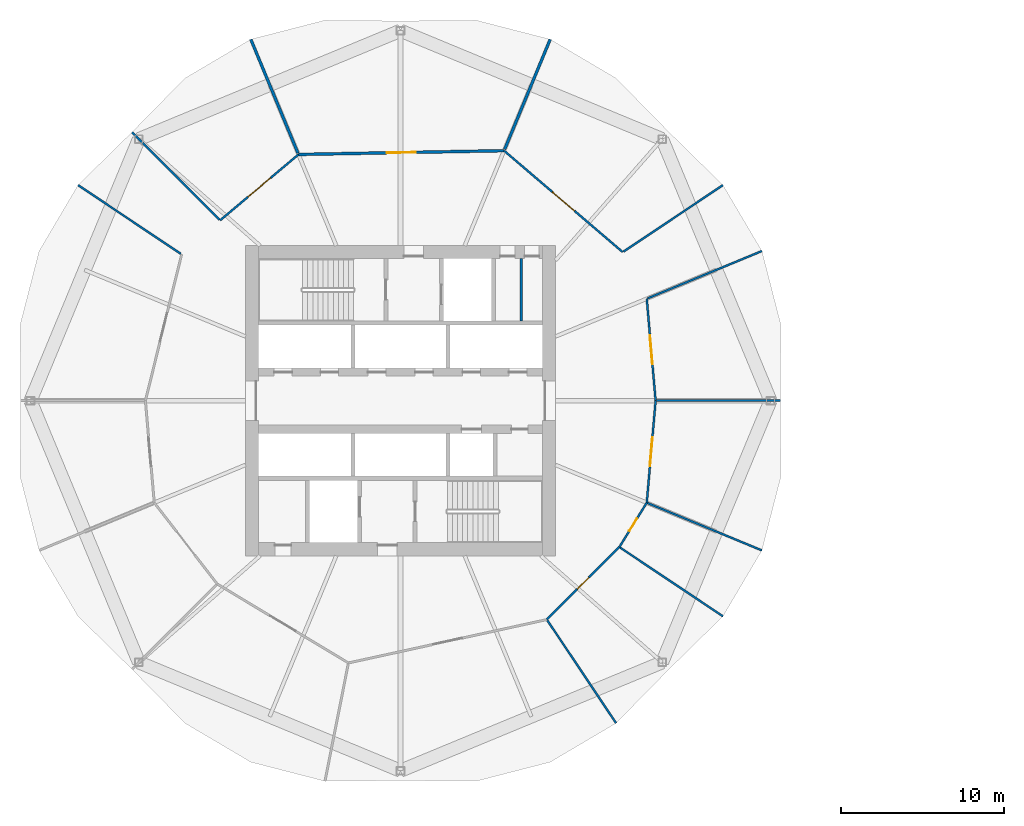
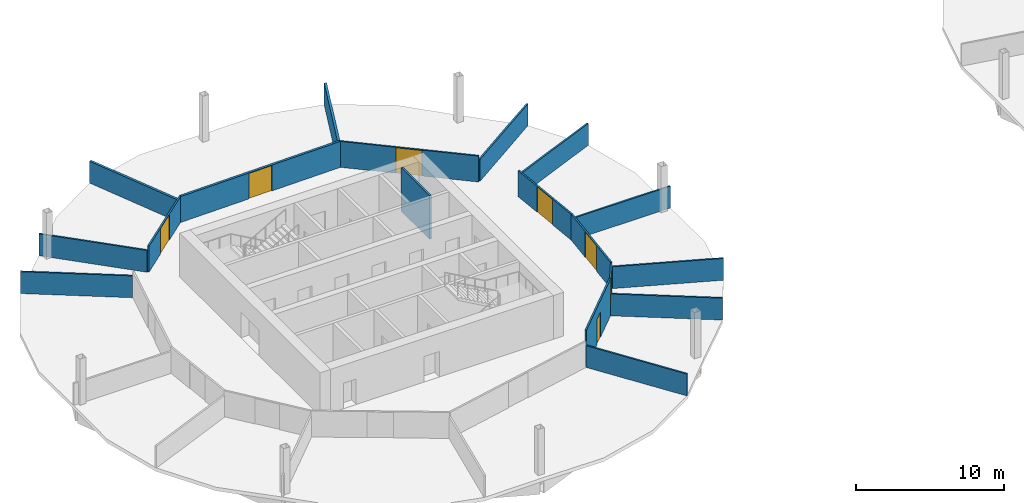
# One storey, part 5 of 9: 18 walls, 7 doors, 7 openings.
"""IFC4 building model written with IfcOpenShell, lengths in metres."""

from ifc_helpers import new_model, si_unit, direction, frame, frame_2d, origin, place, context, subcontext, project, spatial, rectangle, extrude, material, layer, layer_set, type_object, element, fill, save


model = new_model("IFC4")

# Units and contexts
model_context = context("Model", 3, precision=1e-05, world=origin(), true_north=direction((0.0, 1.0)))
body_context = subcontext(model_context, "Body", "Model", "MODEL_VIEW")
ifc_project = project(units=[si_unit("LENGTHUNIT", "METRE"), si_unit("AREAUNIT", "SQUARE_METRE"), si_unit("VOLUMEUNIT", "CUBIC_METRE"), si_unit("PLANEANGLEUNIT", "RADIAN"), si_unit("MASSUNIT", "GRAM", prefix="KILO")], contexts=[model_context])

# Site, building, storey
site_placement = place(None, origin())
site = spatial("IfcSite", under=ifc_project, at=site_placement, CompositionType="ELEMENT")
building_placement = place(site_placement, origin())
building = spatial("IfcBuilding", under=site, at=building_placement, Name="Ogive Gate Towers", CompositionType="ELEMENT")
storey_placement = place(building_placement, frame((0.0, 0.0, 91.800048828125)))
storey = spatial("IfcBuildingStorey", under=building, at=storey_placement, Name="L21", CompositionType="ELEMENT", Elevation=91.800048828125)

# Walls
ifc_material_1 = material(Name="Gypsum board acoustic partition")
ifc_layer_1 = layer(ifc_material_1, 0.175048828125)
ifc_layer_set_1 = layer_set([ifc_layer_1], Name="Acoustic partition 175")
wall_type_1 = type_object("IfcWallType", Name="Acoustic partition 175", PredefinedType="PARTITIONING", material=ifc_layer_set_1)
wall_1_placement = place(storey_placement, frame((-26.8271484375, 22.1455078125, 0.0), z_axis=(0.0, 0.0, 1.0), x_axis=(-0.382651040755, -0.92389294889, 0.0)))
element("IfcWall", 1, at=wall_1_placement, inside=storey, type_object=wall_type_1, Name="Partition T1-L21-004", PredefinedType="PARTITIONING", context=body_context, shape_type="SweptSolid", body=[
    extrude(rectangle(XDim=7.301513671875, YDim=0.175048828125, at=frame_2d((3.65087890625, 0.0))), origin(), (0.0, 0.0, 1.0), 1.800048828125),
])
wall_2_placement = place(storey_placement, frame((-45.1728515625, 22.1455078125, 0.0), z_axis=(0.0, 0.0, 1.0), x_axis=(0.382656362014, -0.923890744953, 0.0)))
element("IfcWall", 2, at=wall_2_placement, inside=storey, type_object=wall_type_1, Name="Partition T1-L21-005", PredefinedType="PARTITIONING", context=body_context, shape_type="SweptSolid", body=[
    extrude(rectangle(XDim=7.551513671875, YDim=0.175048828125, at=frame_2d((3.77587890625, 0.0))), origin(), (0.0, 0.0, 1.0), 1.800048828125),
])

# Wall, opening, door
wall_3_placement = place(storey_placement, frame((-29.65478515625, 15.31884765625, 0.0), z_axis=(0.0, 0.0, 1.0), x_axis=(-0.999831908643, -0.018334515499, 0.0)))
wall_3 = element("IfcWall", 3, at=wall_3_placement, inside=storey, type_object=wall_type_1, Name="Partition T1-L21-016", PredefinedType="PARTITIONING", context=body_context, shape_type="SweptSolid", body=[
    extrude(rectangle(XDim=12.596923828125, YDim=0.175048828125, at=frame_2d((6.29833984375, 0.0))), origin(), (0.0, 0.0, 1.0), 2.139892578125),
])
opening_1_placement = place(wall_3_placement, frame((5.39892578125, 0.0, 0.0)))
opening_1 = element("IfcOpeningElement", 4, at=opening_1_placement, cuts=wall_3, Name="Opening T1-L21-D02", PredefinedType="OPENING", context=body_context, shape_type="SweptSolid", body=[
    extrude(rectangle(XDim=1.800048828125, YDim=2.10009765625, at=frame_2d((0.89990234375, 1.050048828125))), frame((0.0, 0.09765625, 0.0), z_axis=(0.0, -1.0, 0.0), x_axis=(1.0, 0.0, 0.0)), (0.0, 0.0, 1.0), 0.195068359375),
])
ifc_material_2 = material(Name="Timber door", Category="wood")
door_type_1 = type_object("IfcDoorType", Name="Door pair 1800", OperationType="NOTDEFINED", PredefinedType="DOOR", material=ifc_material_2)
door_1_placement = place(opening_1_placement, origin())
door_1 = element("IfcDoor", 5, at=door_1_placement, inside=storey, type_object=door_type_1, Name="Door T1-L21-D02", OperationType="DOUBLE_DOOR_DOUBLE_SWING", OverallHeight=2.10009765625, OverallWidth=1.800048828125, PredefinedType="DOOR", context=body_context, shape_type="SweptSolid", body=[
    extrude(rectangle(XDim=1.800048828125, YDim=2.10009765625, at=frame_2d((0.89990234375, 1.050048828125))), frame((0.0, 0.02490234375, 0.0), z_axis=(0.0, -1.0, 0.0), x_axis=(1.0, 0.0, 0.0)), (0.0, 0.0, 1.0), 0.050048828125),
])
fill(opening_1, door_1)

# Walls
ifc_material_3 = material(Name="Gypsum board partition")
ifc_layer_2 = layer(ifc_material_3, 0.125)
ifc_layer_set_2 = layer_set([ifc_layer_2], Name="Partition 125")
wall_type_2 = type_object("IfcWallType", Name="Partition 125", PredefinedType="PARTITIONING", material=ifc_layer_set_2)
for number, where, z_axis, x_axis, name in (
    (6, (-12.73095703125, 0.0, 0.0), (0.0, 0.0, 1.0), (-1.0, 0.0, 0.0), "Partition T1-L21-001"),
    (7, (-13.8544921875, 9.1728515625, 0.0), (0.0, 0.0, 1.0), (-0.923883306307, -0.382674321488, 0.0), "Partition T1-L21-002"),
):
    element("IfcWall", number, at=place(storey_placement, frame(where, z_axis=z_axis, x_axis=x_axis)), inside=storey, type_object=wall_type_2, Name=name, PredefinedType="PARTITIONING", context=body_context, shape_type="SweptSolid", body=[
        extrude(rectangle(XDim=7.57666015625, YDim=0.125, at=frame_2d((3.788330078125, 0.0))), origin(), (0.0, 0.0, 1.0), 1.800048828125),
    ])
wall_4_placement = place(storey_placement, frame((-16.240478515625, 13.2119140625, 0.0), z_axis=(0.0, 0.0, 1.0), x_axis=(-0.831290762981, -0.555837806723, 0.0)))
element("IfcWall", 8, at=wall_4_placement, inside=storey, type_object=wall_type_2, Name="Partition T1-L21-003", PredefinedType="PARTITIONING", context=body_context, shape_type="SweptSolid", body=[
    extrude(rectangle(XDim=7.326416015625, YDim=0.125, at=frame_2d((3.6630859375, 0.0))), origin(), (0.0, 0.0, 1.0), 1.800048828125),
])
wall_5_placement = place(storey_placement, frame((-52.45361328125, 16.45361328125, 0.0), z_axis=(0.0, 0.0, 1.0), x_axis=(0.707106781187, -0.707106781187, 0.0)))
element("IfcWall", 9, at=wall_5_placement, inside=storey, type_object=wall_type_2, Name="Partition T1-L21-006", PredefinedType="PARTITIONING", context=body_context, shape_type="SweptSolid", body=[
    extrude(rectangle(XDim=7.57666015625, YDim=0.125, at=frame_2d((3.788330078125, 0.0))), origin(), (0.0, 0.0, 1.0), 1.800048828125),
])
for number, where, z_axis, x_axis, name in (
    (10, (-55.759521484375, 13.2119140625, 0.0), (0.0, 0.0, 1.0), (0.831300960788, -0.555822554951, 0.0), "Partition T1-L21-007"),
    (11, (-22.7880859375, -19.759521484375, 0.0), (0.0, 0.0, 1.0), (-0.555822554951, 0.831300960788, 0.0), "Partition T1-L21-012"),
    (12, (-16.240478515625, -13.2119140625, 0.0), (0.0, 0.0, 1.0), (-0.831300960788, 0.555822554951, 0.0), "Partition T1-L21-013"),
):
    element("IfcWall", number, at=place(storey_placement, frame(where, z_axis=z_axis, x_axis=x_axis)), inside=storey, type_object=wall_type_2, Name=name, PredefinedType="PARTITIONING", context=body_context, shape_type="SweptSolid", body=[
        extrude(rectangle(XDim=7.576416015625, YDim=0.125, at=frame_2d((3.7880859375, 0.0))), origin(), (0.0, 0.0, 1.0), 1.800048828125),
    ])
wall_6_placement = place(storey_placement, frame((-13.8544921875, -9.1728515625, 0.0), z_axis=(0.0, 0.0, 1.0), x_axis=(-0.923883306307, 0.382674321488, 0.0)))
element("IfcWall", 13, at=wall_6_placement, inside=storey, type_object=wall_type_2, Name="Partition T1-L21-014", PredefinedType="PARTITIONING", context=body_context, shape_type="SweptSolid", body=[
    extrude(rectangle(XDim=7.57666015625, YDim=0.125, at=frame_2d((3.788330078125, 0.0))), origin(), (0.0, 0.0, 1.0), 1.800048828125),
])

# Wall, opening, door
wall_7_placement = place(storey_placement, frame((-22.3828125, 9.10498046875, 0.0), z_axis=(0.0, 0.0, 1.0), x_axis=(-0.760250240989, 0.649630334172, 0.0)))
wall_7 = element("IfcWall", 14, at=wall_7_placement, inside=storey, type_object=wall_type_2, Name="Partition T1-L21-015", PredefinedType="PARTITIONING", context=body_context, shape_type="SweptSolid", body=[
    extrude(rectangle(XDim=9.565185546875, YDim=0.125, at=frame_2d((4.78271484375, 0.0))), origin(), (0.0, 0.0, 1.0), 2.139892578125),
])
opening_2_placement = place(wall_7_placement, frame((3.883056640625, 0.0, 0.0)))
opening_2 = element("IfcOpeningElement", 15, at=opening_2_placement, cuts=wall_7, Name="Opening T1-L21-D01", PredefinedType="OPENING", context=body_context, shape_type="SweptSolid", body=[
    extrude(rectangle(XDim=1.800048828125, YDim=2.10009765625, at=frame_2d((0.89990234375, 1.050048828125))), frame((0.0, 0.072509765625, 0.0), z_axis=(0.0, -1.0, 0.0), x_axis=(1.0, 0.0, 0.0)), (0.0, 0.0, 1.0), 0.14501953125),
])
door_2_placement = place(opening_2_placement, origin())
door_2 = element("IfcDoor", 16, at=door_2_placement, inside=storey, type_object=door_type_1, Name="Door T1-L21-D01", OperationType="DOUBLE_DOOR_DOUBLE_SWING", OverallHeight=2.10009765625, OverallWidth=1.800048828125, PredefinedType="DOOR", context=body_context, shape_type="SweptSolid", body=[
    extrude(rectangle(XDim=1.800048828125, YDim=2.10009765625, at=frame_2d((0.89990234375, 1.050048828125))), frame((0.0, 0.02490234375, 0.0), z_axis=(0.0, -1.0, 0.0), x_axis=(1.0, 0.0, 0.0)), (0.0, 0.0, 1.0), 0.050048828125),
])
fill(opening_2, door_2)

wall_8_placement = place(storey_placement, frame((-42.24951171875, 15.087890625, 0.0), z_axis=(0.0, 0.0, 1.0), x_axis=(-0.765563776313, -0.6433600115, 0.0)))
wall_8 = element("IfcWall", 17, at=wall_8_placement, inside=storey, type_object=wall_type_2, Name="Partition T1-L21-017", PredefinedType="PARTITIONING", context=body_context, shape_type="SweptSolid", body=[
    extrude(rectangle(XDim=6.273193359375, YDim=0.125, at=frame_2d((3.13671875, 0.0))), origin(), (0.0, 0.0, 1.0), 2.139892578125),
])
opening_3_placement = place(wall_8_placement, frame((2.237060546875, 0.0, 0.0)))
opening_3 = element("IfcOpeningElement", 18, at=opening_3_placement, cuts=wall_8, Name="Opening T1-L21-D03", PredefinedType="OPENING", context=body_context, shape_type="SweptSolid", body=[
    extrude(rectangle(XDim=1.800048828125, YDim=2.10009765625, at=frame_2d((0.89990234375, 1.050048828125))), frame((0.0, 0.072509765625, 0.0), z_axis=(0.0, -1.0, 0.0), x_axis=(1.0, 0.0, 0.0)), (0.0, 0.0, 1.0), 0.14501953125),
])
door_3_placement = place(opening_3_placement, origin())
door_3 = element("IfcDoor", 19, at=door_3_placement, inside=storey, type_object=door_type_1, Name="Door T1-L21-D03", OperationType="DOUBLE_DOOR_DOUBLE_SWING", OverallHeight=2.10009765625, OverallWidth=1.800048828125, PredefinedType="DOOR", context=body_context, shape_type="SweptSolid", body=[
    extrude(rectangle(XDim=1.800048828125, YDim=2.10009765625, at=frame_2d((0.89990234375, 1.050048828125))), frame((0.0, 0.02490234375, 0.0), z_axis=(0.0, -1.0, 0.0), x_axis=(1.0, 0.0, 0.0)), (0.0, 0.0, 1.0), 0.050048828125),
])
fill(opening_3, door_3)

wall_9_placement = place(storey_placement, frame((-27.0341796875, -13.4091796875, 0.0), z_axis=(0.0, 0.0, 1.0), x_axis=(0.707106781187, 0.707106781187, 0.0)))
wall_9 = element("IfcWall", 20, at=wall_9_placement, inside=storey, type_object=wall_type_2, Name="Partition T1-L21-023", PredefinedType="PARTITIONING", context=body_context, shape_type="SweptSolid", body=[
    extrude(rectangle(XDim=6.283935546875, YDim=0.125, at=frame_2d((3.14208984375, 0.0))), origin(), (0.0, 0.0, 1.0), 3.050048828125),
])
opening_4_placement = place(wall_9_placement, frame((2.64208984375, 0.0, 0.0)))
opening_4 = element("IfcOpeningElement", 21, at=opening_4_placement, cuts=wall_9, Name="Opening T1-L21-D09", PredefinedType="OPENING", context=body_context, shape_type="SweptSolid", body=[
    extrude(rectangle(XDim=1.0, YDim=2.10009765625, at=frame_2d((0.5, 1.050048828125))), frame((0.0, 0.072509765625, 0.0), z_axis=(0.0, -1.0, 0.0), x_axis=(1.0, 0.0, 0.0)), (0.0, 0.0, 1.0), 0.14501953125),
])
door_type_2 = type_object("IfcDoorType", Name="Door 1000", OperationType="NOTDEFINED", PredefinedType="DOOR", material=ifc_material_2)
door_4_placement = place(opening_4_placement, origin())
door_4 = element("IfcDoor", 22, at=door_4_placement, inside=storey, type_object=door_type_2, Name="Door T1-L21-D09", OperationType="SINGLE_SWING_LEFT", OverallHeight=2.10009765625, OverallWidth=1.0, PredefinedType="DOOR", context=body_context, shape_type="SweptSolid", body=[
    extrude(rectangle(XDim=1.0, YDim=2.10009765625, at=frame_2d((0.5, 1.050048828125))), frame((0.0, 0.02490234375, 0.0), z_axis=(0.0, -1.0, 0.0), x_axis=(1.0, 0.0, 0.0)), (0.0, 0.0, 1.0), 0.050048828125),
])
fill(opening_4, door_4)

wall_10_placement = place(storey_placement, frame((-22.5908203125, -8.9658203125, 0.0), z_axis=(0.0, 0.0, 1.0), x_axis=(0.525717493384, 0.850659225042, 0.0)))
wall_10 = element("IfcWall", 23, at=wall_10_placement, inside=storey, type_object=wall_type_2, Name="Partition T1-L21-024", PredefinedType="PARTITIONING", context=body_context, shape_type="SweptSolid", body=[
    extrude(rectangle(XDim=3.193115234375, YDim=0.125, at=frame_2d((1.5966796875, 0.0))), origin(), (0.0, 0.0, 1.0), 2.139892578125),
])
opening_5_placement = place(wall_10_placement, frame((1.14697265625, 0.0, 0.0)))
opening_5 = element("IfcOpeningElement", 24, at=opening_5_placement, cuts=wall_10, Name="Opening T1-L21-D10", PredefinedType="OPENING", context=body_context, shape_type="SweptSolid", body=[
    extrude(rectangle(XDim=0.89990234375, YDim=2.10009765625, at=frame_2d((0.449951171875, 1.050048828125))), frame((0.0, 0.072509765625, 0.0), z_axis=(0.0, -1.0, 0.0), x_axis=(1.0, 0.0, 0.0)), (0.0, 0.0, 1.0), 0.14501953125),
])
door_type_3 = type_object("IfcDoorType", Name="Door 900", OperationType="NOTDEFINED", PredefinedType="DOOR", material=ifc_material_2)
door_5_placement = place(opening_5_placement, origin())
door_5 = element("IfcDoor", 25, at=door_5_placement, inside=storey, type_object=door_type_3, Name="Door T1-L21-D10", OperationType="SINGLE_SWING_LEFT", OverallHeight=2.10009765625, OverallWidth=0.89990234375, PredefinedType="DOOR", context=body_context, shape_type="SweptSolid", body=[
    extrude(rectangle(XDim=0.89990234375, YDim=2.10009765625, at=frame_2d((0.449951171875, 1.050048828125))), frame((0.0, 0.02490234375, 0.0), z_axis=(0.0, -1.0, 0.0), x_axis=(1.0, 0.0, 0.0)), (0.0, 0.0, 1.0), 0.050048828125),
])
fill(opening_5, door_5)

wall_11_placement = place(storey_placement, frame((-20.912109375, -6.24951171875, 0.0), z_axis=(0.0, 0.0, 1.0), x_axis=(0.086401208682, 0.996260423352, 0.0)))
wall_11 = element("IfcWall", 26, at=wall_11_placement, inside=storey, type_object=wall_type_2, Name="Partition T1-L21-025", PredefinedType="PARTITIONING", context=body_context, shape_type="SweptSolid", body=[
    extrude(rectangle(XDim=6.27294921875, YDim=0.125, at=frame_2d((3.136474609375, 0.0))), origin(), (0.0, 0.0, 1.0), 2.139892578125),
])
opening_6_placement = place(wall_11_placement, frame((2.237060546875, 0.0, 0.0)))
opening_6 = element("IfcOpeningElement", 27, at=opening_6_placement, cuts=wall_11, Name="Opening T1-L21-D11", PredefinedType="OPENING", context=body_context, shape_type="SweptSolid", body=[
    extrude(rectangle(XDim=1.800048828125, YDim=2.10009765625, at=frame_2d((0.89990234375, 1.050048828125))), frame((0.0, 0.072509765625, 0.0), z_axis=(0.0, -1.0, 0.0), x_axis=(1.0, 0.0, 0.0)), (0.0, 0.0, 1.0), 0.14501953125),
])
door_6_placement = place(opening_6_placement, origin())
door_6 = element("IfcDoor", 28, at=door_6_placement, inside=storey, type_object=door_type_1, Name="Door T1-L21-D11", OperationType="DOUBLE_DOOR_DOUBLE_SWING", OverallHeight=2.10009765625, OverallWidth=1.800048828125, PredefinedType="DOOR", context=body_context, shape_type="SweptSolid", body=[
    extrude(rectangle(XDim=1.800048828125, YDim=2.10009765625, at=frame_2d((0.89990234375, 1.050048828125))), frame((0.0, 0.02490234375, 0.0), z_axis=(0.0, -1.0, 0.0), x_axis=(1.0, 0.0, 0.0)), (0.0, 0.0, 1.0), 0.050048828125),
])
fill(opening_6, door_6)

wall_12_placement = place(storey_placement, frame((-20.3701171875, 0.0, 0.0), z_axis=(0.0, 0.0, 1.0), x_axis=(-0.086401208682, 0.996260423352, 0.0)))
wall_12 = element("IfcWall", 29, at=wall_12_placement, inside=storey, type_object=wall_type_2, Name="Partition T1-L21-026", PredefinedType="PARTITIONING", context=body_context, shape_type="SweptSolid", body=[
    extrude(rectangle(XDim=6.27294921875, YDim=0.125, at=frame_2d((3.136474609375, 0.0))), origin(), (0.0, 0.0, 1.0), 2.139892578125),
])
opening_7_placement = place(wall_12_placement, frame((2.237060546875, 0.0, 0.0)))
opening_7 = element("IfcOpeningElement", 30, at=opening_7_placement, cuts=wall_12, Name="Opening T1-L21-D12", PredefinedType="OPENING", context=body_context, shape_type="SweptSolid", body=[
    extrude(rectangle(XDim=1.800048828125, YDim=2.10009765625, at=frame_2d((0.89990234375, 1.050048828125))), frame((0.0, 0.072509765625, 0.0), z_axis=(0.0, -1.0, 0.0), x_axis=(1.0, 0.0, 0.0)), (0.0, 0.0, 1.0), 0.14501953125),
])
door_7_placement = place(opening_7_placement, origin())
door_7 = element("IfcDoor", 31, at=door_7_placement, inside=storey, type_object=door_type_1, Name="Door T1-L21-D12", OperationType="DOUBLE_DOOR_DOUBLE_SWING", OverallHeight=2.10009765625, OverallWidth=1.800048828125, PredefinedType="DOOR", context=body_context, shape_type="SweptSolid", body=[
    extrude(rectangle(XDim=1.800048828125, YDim=2.10009765625, at=frame_2d((0.89990234375, 1.050048828125))), frame((0.0, 0.02490234375, 0.0), z_axis=(0.0, -1.0, 0.0), x_axis=(1.0, 0.0, 0.0)), (0.0, 0.0, 1.0), 0.050048828125),
])
fill(opening_7, door_7)

# Wall
ifc_layer_3 = layer(ifc_material_3, 0.14990234375)
ifc_layer_set_3 = layer_set([ifc_layer_3], Name="Room partition 150 mm")
wall_type_3 = type_object("IfcWallType", Name="Room partition 150 mm", PredefinedType="PARTITIONING", material=ifc_layer_set_3)
wall_13_placement = place(storey_placement, frame((-28.60009765625, 4.875, 0.0), z_axis=(0.0, 0.0, 1.0), x_axis=(0.0, 1.0, 0.0)))
element("IfcWall", 32, at=wall_13_placement, inside=storey, type_object=wall_type_3, Name="T1 L21 Room partition 150 mm", PredefinedType="PARTITIONING", context=body_context, shape_type="SweptSolid", body=[
    extrude(rectangle(XDim=3.824951171875, YDim=0.14990234375, at=frame_2d((1.91259765625, 0.0))), origin(), (0.0, 0.0, 1.0), 3.599853515625),
])

save(model, "model.ifc")
